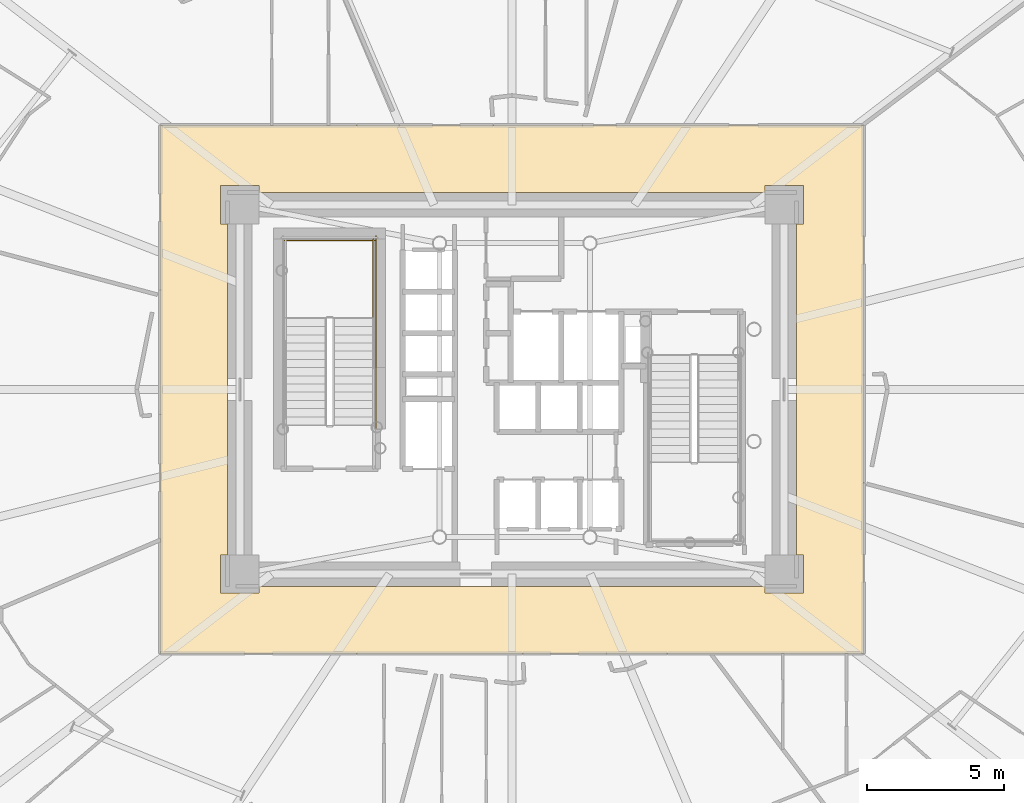
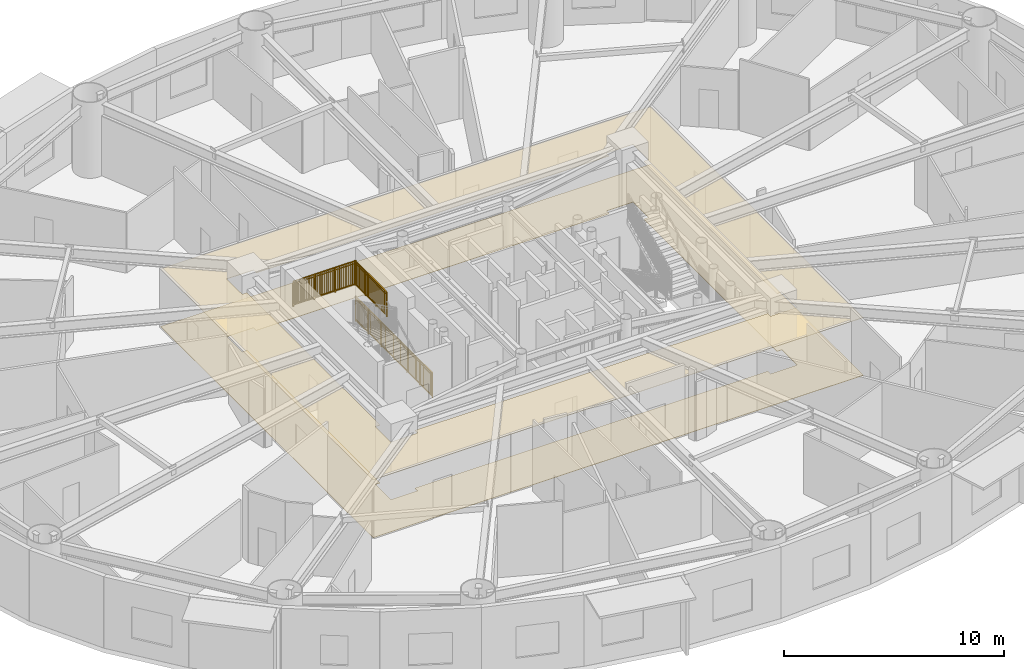
# One storey, part 20 of 24: 3 railings, 2 coverings.
"""IFC4 building model written with IfcOpenShell, lengths in metres."""

from ifc_helpers import new_model, si_unit, direction, frame, origin, origin_2d, place, context, subcontext, project, spatial, polyline, rectangle, outline, extrude, source, transform, mapped, material, layer, layer_set, type_object, element, save


model = new_model("IFC4")

# Units and contexts
model_context = context("Model", 3, precision=1e-05, world=origin(), true_north=direction((0.0, 1.0)))
body_context = subcontext(model_context, "Body", "Model", "MODEL_VIEW")
ifc_project = project(units=[si_unit("LENGTHUNIT", "METRE"), si_unit("AREAUNIT", "SQUARE_METRE"), si_unit("VOLUMEUNIT", "CUBIC_METRE"), si_unit("PLANEANGLEUNIT", "RADIAN"), si_unit("MASSUNIT", "GRAM", prefix="KILO")], contexts=[model_context])

# Site, building, storey
site_placement = place(None, origin())
site = spatial("IfcSite", under=ifc_project, at=site_placement, CompositionType="ELEMENT")
building_placement = place(site_placement, origin())
building = spatial("IfcBuilding", under=site, at=building_placement, Name="Linh Dai School and Residence Tower", CompositionType="ELEMENT")
storey_placement = place(building_placement, frame((0.0, 0.0, 74.39990234375)))
storey = spatial("IfcBuildingStorey", under=building, at=storey_placement, Name="L17", CompositionType="ELEMENT", Elevation=74.39990234375)

# Coverings
ifc_material_1 = material(Name="Mineral Fibre Acoustic Suspended Ceiling", Category="masonry")
ifc_layer_1 = layer(ifc_material_1, 0.02001953125)
ifc_layer_set_1 = layer_set([ifc_layer_1], Name="Mineral Fibre Acoustic Suspended Ceiling")
covering_type_1 = type_object("IfcCoveringType", Name="COV-CEIL-AC-20", PredefinedType="CEILING", material=ifc_layer_set_1)
covering_1_placement = place(storey_placement, frame((0.0, 0.0, 3.2001953125)))
element("IfcCovering", 1, at=covering_1_placement, inside=storey, type_object=covering_type_1, Name="L17 Residential Floor Corridor Suspended Ceiling", PredefinedType="CEILING", context=body_context, shape_type="SweptSolid", body=[
    extrude(outline(polyline([(48.85009765625, 36.64990234375), (48.85009765625, 17.35009765625), (23.14990234375, 17.35009765625), (23.14990234375, 36.64990234375), (48.85009765625, 36.64990234375)]), holes=[polyline([(26.75, 34.199951171875), (26.75, 34.449951171875), (25.35009765625, 34.449951171875), (25.35009765625, 33.050048828125), (25.60009765625, 33.050048828125), (25.60009765625, 20.949951171875), (25.35009765625, 20.949951171875), (25.35009765625, 19.550048828125), (26.75, 19.550048828125), (26.75, 19.800048828125), (45.25, 19.800048828125), (45.25, 19.550048828125), (46.64990234375, 19.550048828125), (46.64990234375, 20.949951171875), (46.39990234375, 20.949951171875), (46.39990234375, 33.050048828125), (46.64990234375, 33.050048828125), (46.64990234375, 34.449951171875), (45.25, 34.449951171875), (45.25, 34.199951171875), (26.75, 34.199951171875)])]), origin(), (0.0, 0.0, 1.0), 0.02001953125),
])
ifc_material_2 = material(Name="Polished Terrazzo Floor Finish", Category="masonry")
ifc_layer_2 = layer(ifc_material_2, 0.02490234375)
ifc_layer_set_2 = layer_set([ifc_layer_2], Name="Polished Terrazzo Floor Finish")
covering_type_2 = type_object("IfcCoveringType", Name="COV-FLR-TRZ-25", PredefinedType="FLOORING", material=ifc_layer_set_2)
covering_2_placement = place(storey_placement, origin())
element("IfcCovering", 2, at=covering_2_placement, inside=storey, type_object=covering_type_2, Name="L17 Residential Floor Corridor Floor Finish", PredefinedType="FLOORING", context=body_context, shape_type="SweptSolid", body=[
    extrude(outline(polyline([(48.85009765625, 36.64990234375), (48.85009765625, 17.35009765625), (23.14990234375, 17.35009765625), (23.14990234375, 36.64990234375), (48.85009765625, 36.64990234375)]), holes=[polyline([(26.75, 34.199951171875), (26.75, 34.449951171875), (25.35009765625, 34.449951171875), (25.35009765625, 33.050048828125), (25.60009765625, 33.050048828125), (25.60009765625, 20.949951171875), (25.35009765625, 20.949951171875), (25.35009765625, 19.550048828125), (26.75, 19.550048828125), (26.75, 19.800048828125), (45.25, 19.800048828125), (45.25, 19.550048828125), (46.64990234375, 19.550048828125), (46.64990234375, 20.949951171875), (46.39990234375, 20.949951171875), (46.39990234375, 33.050048828125), (46.64990234375, 33.050048828125), (46.64990234375, 34.449951171875), (45.25, 34.449951171875), (45.25, 34.199951171875), (26.75, 34.199951171875)])]), origin(), (0.0, 0.0, 1.0), 0.02001953125),
])

# Railings
ifc_material_3 = material(Name="Structural Steel S355JR", Category="steel")
railing_type = type_object("IfcRailingType", Name="RL-ST-GUARD-1400", PredefinedType="GUARDRAIL", material=ifc_material_3)
shared_shape_1 = source(origin(), body_context, "Body", "SweptSolid", [
    extrude(rectangle(XDim=0.048095703125, YDim=0.048095703125, at=origin_2d()), frame((0.0, 0.0, 1.3759765625), z_axis=(-1.0, 0.0, 0.0), x_axis=(0.0, -1.0, 0.0)), (0.0, 0.0, 1.0), 3.300048828125),
    extrude(rectangle(XDim=0.048095703125, YDim=0.048095703125, at=origin_2d()), frame((0.0, 0.0, 0.10009765625), z_axis=(-1.0, 0.0, 0.0), x_axis=(0.0, -1.0, 0.0)), (0.0, 0.0, 1.0), 3.300048828125),
    extrude(rectangle(XDim=0.030029296875, YDim=0.030029296875, at=origin_2d()), frame((0.0, 0.0, 1.239990234375), z_axis=(-1.0, 0.0, 0.0), x_axis=(0.0, -1.0, 0.0)), (0.0, 0.0, 1.0), 3.300048828125),
    extrude(rectangle(XDim=0.02001953125, YDim=0.02001953125, at=origin_2d()), frame((-0.09716796875, 0.0, 0.10009765625)), (0.0, 0.0, 1.0), 1.251708984375),
    extrude(rectangle(XDim=0.02001953125, YDim=0.02001953125, at=origin_2d()), frame((-0.194091796875, 0.0, 0.10009765625)), (0.0, 0.0, 1.0), 1.251708984375),
    extrude(rectangle(XDim=0.02001953125, YDim=0.02001953125, at=origin_2d()), frame((-0.291259765625, 0.0, 0.10009765625)), (0.0, 0.0, 1.0), 1.251708984375),
    extrude(rectangle(XDim=0.02001953125, YDim=0.02001953125, at=origin_2d()), frame((-0.38818359375, 0.0, 0.10009765625)), (0.0, 0.0, 1.0), 1.251708984375),
    extrude(rectangle(XDim=0.02001953125, YDim=0.02001953125, at=origin_2d()), frame((-0.4853515625, 0.0, 0.10009765625)), (0.0, 0.0, 1.0), 1.251708984375),
    extrude(rectangle(XDim=0.02001953125, YDim=0.02001953125, at=origin_2d()), frame((-0.582275390625, 0.0, 0.10009765625)), (0.0, 0.0, 1.0), 1.251708984375),
    extrude(rectangle(XDim=0.02001953125, YDim=0.02001953125, at=origin_2d()), frame((-0.679443359375, 0.0, 0.10009765625)), (0.0, 0.0, 1.0), 1.251708984375),
    extrude(rectangle(XDim=0.02001953125, YDim=0.02001953125, at=origin_2d()), frame((-0.7763671875, 0.0, 0.10009765625)), (0.0, 0.0, 1.0), 1.251708984375),
    extrude(rectangle(XDim=0.02001953125, YDim=0.02001953125, at=origin_2d()), frame((-0.87353515625, 0.0, 0.10009765625)), (0.0, 0.0, 1.0), 1.251708984375),
    extrude(rectangle(XDim=0.02001953125, YDim=0.02001953125, at=origin_2d()), frame((-0.970703125, 0.0, 0.10009765625)), (0.0, 0.0, 1.0), 1.251708984375),
    extrude(rectangle(XDim=0.02001953125, YDim=0.02001953125, at=origin_2d()), frame((-1.164794921875, 0.0, 0.10009765625)), (0.0, 0.0, 1.0), 1.251708984375),
    extrude(rectangle(XDim=0.02001953125, YDim=0.02001953125, at=origin_2d()), frame((-1.26171875, 0.0, 0.10009765625)), (0.0, 0.0, 1.0), 1.251708984375),
    extrude(rectangle(XDim=0.02001953125, YDim=0.02001953125, at=origin_2d()), frame((-1.35888671875, 0.0, 0.10009765625)), (0.0, 0.0, 1.0), 1.251708984375),
    extrude(rectangle(XDim=0.02001953125, YDim=0.02001953125, at=origin_2d()), frame((-1.455810546875, 0.0, 0.10009765625)), (0.0, 0.0, 1.0), 1.251708984375),
    extrude(rectangle(XDim=0.02001953125, YDim=0.02001953125, at=origin_2d()), frame((-1.552978515625, 0.0, 0.10009765625)), (0.0, 0.0, 1.0), 1.251708984375),
    extrude(rectangle(XDim=0.02001953125, YDim=0.02001953125, at=origin_2d()), frame((-1.64990234375, 0.0, 0.10009765625)), (0.0, 0.0, 1.0), 1.251708984375),
    extrude(rectangle(XDim=0.02001953125, YDim=0.02001953125, at=origin_2d()), frame((-1.7470703125, 0.0, 0.10009765625)), (0.0, 0.0, 1.0), 1.251708984375),
    extrude(rectangle(XDim=0.02001953125, YDim=0.02001953125, at=origin_2d()), frame((-1.84423828125, 0.0, 0.10009765625)), (0.0, 0.0, 1.0), 1.251708984375),
    extrude(rectangle(XDim=0.02001953125, YDim=0.02001953125, at=origin_2d()), frame((-1.941162109375, 0.0, 0.10009765625)), (0.0, 0.0, 1.0), 1.251708984375),
    extrude(rectangle(XDim=0.02001953125, YDim=0.02001953125, at=origin_2d()), frame((-2.038330078125, 0.0, 0.10009765625)), (0.0, 0.0, 1.0), 1.251708984375),
    extrude(rectangle(XDim=0.02001953125, YDim=0.02001953125, at=origin_2d()), frame((-2.13525390625, 0.0, 0.10009765625)), (0.0, 0.0, 1.0), 1.251708984375),
    extrude(rectangle(XDim=0.02001953125, YDim=0.02001953125, at=origin_2d()), frame((-2.329345703125, 0.0, 0.10009765625)), (0.0, 0.0, 1.0), 1.251708984375),
    extrude(rectangle(XDim=0.02001953125, YDim=0.02001953125, at=origin_2d()), frame((-2.426513671875, 0.0, 0.10009765625)), (0.0, 0.0, 1.0), 1.251708984375),
    extrude(rectangle(XDim=0.02001953125, YDim=0.02001953125, at=origin_2d()), frame((-2.523681640625, 0.0, 0.10009765625)), (0.0, 0.0, 1.0), 1.251708984375),
    extrude(rectangle(XDim=0.02001953125, YDim=0.02001953125, at=origin_2d()), frame((-2.62060546875, 0.0, 0.10009765625)), (0.0, 0.0, 1.0), 1.251708984375),
    extrude(rectangle(XDim=0.02001953125, YDim=0.02001953125, at=origin_2d()), frame((-2.7177734375, 0.0, 0.10009765625)), (0.0, 0.0, 1.0), 1.251708984375),
    extrude(rectangle(XDim=0.02001953125, YDim=0.02001953125, at=origin_2d()), frame((-2.814697265625, 0.0, 0.10009765625)), (0.0, 0.0, 1.0), 1.251708984375),
    extrude(rectangle(XDim=0.02001953125, YDim=0.02001953125, at=origin_2d()), frame((-2.911865234375, 0.0, 0.10009765625)), (0.0, 0.0, 1.0), 1.251708984375),
    extrude(rectangle(XDim=0.02001953125, YDim=0.02001953125, at=origin_2d()), frame((-3.0087890625, 0.0, 0.10009765625)), (0.0, 0.0, 1.0), 1.251708984375),
    extrude(rectangle(XDim=0.02001953125, YDim=0.02001953125, at=origin_2d()), frame((-3.10595703125, 0.0, 0.10009765625)), (0.0, 0.0, 1.0), 1.251708984375),
    extrude(rectangle(XDim=0.02001953125, YDim=0.02001953125, at=origin_2d()), frame((-3.202880859375, 0.0, 0.10009765625)), (0.0, 0.0, 1.0), 1.251708984375),
    extrude(rectangle(XDim=0.0419921875, YDim=0.0419921875, at=origin_2d()), origin(), (0.0, 0.0, 1.0), 1.3759765625),
    extrude(rectangle(XDim=0.0419921875, YDim=0.0419921875, at=origin_2d()), frame((-1.10009765625, 0.0, 0.0)), (0.0, 0.0, 1.0), 1.3759765625),
    extrude(rectangle(XDim=0.0419921875, YDim=0.0419921875, at=origin_2d()), frame((-2.199951171875, 0.0, 0.0)), (0.0, 0.0, 1.0), 1.3759765625),
    extrude(rectangle(XDim=0.0419921875, YDim=0.0419921875, at=origin_2d()), frame((-3.300048828125, 0.0, 0.0)), (0.0, 0.0, 1.0), 1.3759765625),
])
railing_1_placement = place(storey_placement, frame((30.97998046875, 32.449951171875, 2.10009765625)))
element("IfcRailing", 3, at=railing_1_placement, inside=storey, type_object=railing_type, Name="L17 ST1 stair guard 5", PredefinedType="GUARDRAIL", context=body_context, shape_type="MappedRepresentation", body=[
    mapped(shared_shape_1, transform((0.0, 0.0, 0.0), x_axis=(1.0, 0.0, 0.0), y_axis=(0.0, 1.0, 0.0), z_axis=(0.0, 0.0, 1.0), scale=1.0)),
])
shared_shape_2 = source(origin(), body_context, "Body", "SweptSolid", [
    extrude(rectangle(XDim=0.048095703125, YDim=0.048095703125, at=origin_2d()), frame((0.0, 0.0, 1.3759765625), z_axis=(0.0, 1.0, 0.0), x_axis=(-1.0, 0.0, 0.0)), (0.0, 0.0, 1.0), 7.0),
    extrude(rectangle(XDim=0.048095703125, YDim=0.048095703125, at=origin_2d()), frame((0.0, 0.0, 0.10009765625), z_axis=(0.0, 1.0, 0.0), x_axis=(-1.0, 0.0, 0.0)), (0.0, 0.0, 1.0), 7.0),
    extrude(rectangle(XDim=0.030029296875, YDim=0.030029296875, at=origin_2d()), frame((0.0, 0.0, 1.239990234375), z_axis=(0.0, 1.0, 0.0), x_axis=(-1.0, 0.0, 0.0)), (0.0, 0.0, 1.0), 7.0),
    extrude(rectangle(XDim=0.02001953125, YDim=0.02001953125, at=origin_2d()), frame((0.0, 0.09716796875, 0.10009765625)), (0.0, 0.0, 1.0), 1.251708984375),
    extrude(rectangle(XDim=0.02001953125, YDim=0.02001953125, at=origin_2d()), frame((0.0, 0.1943359375, 0.10009765625)), (0.0, 0.0, 1.0), 1.251708984375),
    extrude(rectangle(XDim=0.02001953125, YDim=0.02001953125, at=origin_2d()), frame((0.0, 0.291748046875, 0.10009765625)), (0.0, 0.0, 1.0), 1.251708984375),
    extrude(rectangle(XDim=0.02001953125, YDim=0.02001953125, at=origin_2d()), frame((0.0, 0.388916015625, 0.10009765625)), (0.0, 0.0, 1.0), 1.251708984375),
    extrude(rectangle(XDim=0.02001953125, YDim=0.02001953125, at=origin_2d()), frame((0.0, 0.486083984375, 0.10009765625)), (0.0, 0.0, 1.0), 1.251708984375),
    extrude(rectangle(XDim=0.02001953125, YDim=0.02001953125, at=origin_2d()), frame((0.0, 0.583251953125, 0.10009765625)), (0.0, 0.0, 1.0), 1.251708984375),
    extrude(rectangle(XDim=0.02001953125, YDim=0.02001953125, at=origin_2d()), frame((0.0, 0.6806640625, 0.10009765625)), (0.0, 0.0, 1.0), 1.251708984375),
    extrude(rectangle(XDim=0.02001953125, YDim=0.02001953125, at=origin_2d()), frame((0.0, 0.77783203125, 0.10009765625)), (0.0, 0.0, 1.0), 1.251708984375),
    extrude(rectangle(XDim=0.02001953125, YDim=0.02001953125, at=origin_2d()), frame((0.0, 0.875, 0.10009765625)), (0.0, 0.0, 1.0), 1.251708984375),
    extrude(rectangle(XDim=0.02001953125, YDim=0.02001953125, at=origin_2d()), frame((0.0, 0.97216796875, 0.10009765625)), (0.0, 0.0, 1.0), 1.251708984375),
    extrude(rectangle(XDim=0.02001953125, YDim=0.02001953125, at=origin_2d()), frame((0.0, 1.0693359375, 0.10009765625)), (0.0, 0.0, 1.0), 1.251708984375),
    extrude(rectangle(XDim=0.02001953125, YDim=0.02001953125, at=origin_2d()), frame((0.0, 1.263916015625, 0.10009765625)), (0.0, 0.0, 1.0), 1.251708984375),
    extrude(rectangle(XDim=0.02001953125, YDim=0.02001953125, at=origin_2d()), frame((0.0, 1.361083984375, 0.10009765625)), (0.0, 0.0, 1.0), 1.251708984375),
    extrude(rectangle(XDim=0.02001953125, YDim=0.02001953125, at=origin_2d()), frame((0.0, 1.458251953125, 0.10009765625)), (0.0, 0.0, 1.0), 1.251708984375),
    extrude(rectangle(XDim=0.02001953125, YDim=0.02001953125, at=origin_2d()), frame((0.0, 1.5556640625, 0.10009765625)), (0.0, 0.0, 1.0), 1.251708984375),
    extrude(rectangle(XDim=0.02001953125, YDim=0.02001953125, at=origin_2d()), frame((0.0, 1.65283203125, 0.10009765625)), (0.0, 0.0, 1.0), 1.251708984375),
    extrude(rectangle(XDim=0.02001953125, YDim=0.02001953125, at=origin_2d()), frame((0.0, 1.75, 0.10009765625)), (0.0, 0.0, 1.0), 1.251708984375),
    extrude(rectangle(XDim=0.02001953125, YDim=0.02001953125, at=origin_2d()), frame((0.0, 1.84716796875, 0.10009765625)), (0.0, 0.0, 1.0), 1.251708984375),
    extrude(rectangle(XDim=0.02001953125, YDim=0.02001953125, at=origin_2d()), frame((0.0, 1.9443359375, 0.10009765625)), (0.0, 0.0, 1.0), 1.251708984375),
    extrude(rectangle(XDim=0.02001953125, YDim=0.02001953125, at=origin_2d()), frame((0.0, 2.041748046875, 0.10009765625)), (0.0, 0.0, 1.0), 1.251708984375),
    extrude(rectangle(XDim=0.02001953125, YDim=0.02001953125, at=origin_2d()), frame((0.0, 2.138916015625, 0.10009765625)), (0.0, 0.0, 1.0), 1.251708984375),
    extrude(rectangle(XDim=0.02001953125, YDim=0.02001953125, at=origin_2d()), frame((0.0, 2.236083984375, 0.10009765625)), (0.0, 0.0, 1.0), 1.251708984375),
    extrude(rectangle(XDim=0.02001953125, YDim=0.02001953125, at=origin_2d()), frame((0.0, 2.4306640625, 0.10009765625)), (0.0, 0.0, 1.0), 1.251708984375),
    extrude(rectangle(XDim=0.02001953125, YDim=0.02001953125, at=origin_2d()), frame((0.0, 2.52783203125, 0.10009765625)), (0.0, 0.0, 1.0), 1.251708984375),
    extrude(rectangle(XDim=0.02001953125, YDim=0.02001953125, at=origin_2d()), frame((0.0, 2.625, 0.10009765625)), (0.0, 0.0, 1.0), 1.251708984375),
    extrude(rectangle(XDim=0.02001953125, YDim=0.02001953125, at=origin_2d()), frame((0.0, 2.72216796875, 0.10009765625)), (0.0, 0.0, 1.0), 1.251708984375),
    extrude(rectangle(XDim=0.02001953125, YDim=0.02001953125, at=origin_2d()), frame((0.0, 2.8193359375, 0.10009765625)), (0.0, 0.0, 1.0), 1.251708984375),
    extrude(rectangle(XDim=0.02001953125, YDim=0.02001953125, at=origin_2d()), frame((0.0, 2.916748046875, 0.10009765625)), (0.0, 0.0, 1.0), 1.251708984375),
    extrude(rectangle(XDim=0.02001953125, YDim=0.02001953125, at=origin_2d()), frame((0.0, 3.013916015625, 0.10009765625)), (0.0, 0.0, 1.0), 1.251708984375),
    extrude(rectangle(XDim=0.02001953125, YDim=0.02001953125, at=origin_2d()), frame((0.0, 3.111083984375, 0.10009765625)), (0.0, 0.0, 1.0), 1.251708984375),
    extrude(rectangle(XDim=0.02001953125, YDim=0.02001953125, at=origin_2d()), frame((0.0, 3.208251953125, 0.10009765625)), (0.0, 0.0, 1.0), 1.251708984375),
    extrude(rectangle(XDim=0.02001953125, YDim=0.02001953125, at=origin_2d()), frame((0.0, 3.3056640625, 0.10009765625)), (0.0, 0.0, 1.0), 1.251708984375),
    extrude(rectangle(XDim=0.02001953125, YDim=0.02001953125, at=origin_2d()), frame((0.0, 3.40283203125, 0.10009765625)), (0.0, 0.0, 1.0), 1.251708984375),
    extrude(rectangle(XDim=0.02001953125, YDim=0.02001953125, at=origin_2d()), frame((0.0, 3.59716796875, 0.10009765625)), (0.0, 0.0, 1.0), 1.251708984375),
    extrude(rectangle(XDim=0.02001953125, YDim=0.02001953125, at=origin_2d()), frame((0.0, 3.6943359375, 0.10009765625)), (0.0, 0.0, 1.0), 1.251708984375),
    extrude(rectangle(XDim=0.02001953125, YDim=0.02001953125, at=origin_2d()), frame((0.0, 3.791748046875, 0.10009765625)), (0.0, 0.0, 1.0), 1.251708984375),
    extrude(rectangle(XDim=0.02001953125, YDim=0.02001953125, at=origin_2d()), frame((0.0, 3.888916015625, 0.10009765625)), (0.0, 0.0, 1.0), 1.251708984375),
    extrude(rectangle(XDim=0.02001953125, YDim=0.02001953125, at=origin_2d()), frame((0.0, 3.986083984375, 0.10009765625)), (0.0, 0.0, 1.0), 1.251708984375),
    extrude(rectangle(XDim=0.02001953125, YDim=0.02001953125, at=origin_2d()), frame((0.0, 4.083251953125, 0.10009765625)), (0.0, 0.0, 1.0), 1.251708984375),
    extrude(rectangle(XDim=0.02001953125, YDim=0.02001953125, at=origin_2d()), frame((0.0, 4.1806640625, 0.10009765625)), (0.0, 0.0, 1.0), 1.251708984375),
    extrude(rectangle(XDim=0.02001953125, YDim=0.02001953125, at=origin_2d()), frame((0.0, 4.27783203125, 0.10009765625)), (0.0, 0.0, 1.0), 1.251708984375),
    extrude(rectangle(XDim=0.02001953125, YDim=0.02001953125, at=origin_2d()), frame((0.0, 4.375, 0.10009765625)), (0.0, 0.0, 1.0), 1.251708984375),
    extrude(rectangle(XDim=0.02001953125, YDim=0.02001953125, at=origin_2d()), frame((0.0, 4.47216796875, 0.10009765625)), (0.0, 0.0, 1.0), 1.251708984375),
    extrude(rectangle(XDim=0.02001953125, YDim=0.02001953125, at=origin_2d()), frame((0.0, 4.5693359375, 0.10009765625)), (0.0, 0.0, 1.0), 1.251708984375),
    extrude(rectangle(XDim=0.02001953125, YDim=0.02001953125, at=origin_2d()), frame((0.0, 4.763916015625, 0.10009765625)), (0.0, 0.0, 1.0), 1.251708984375),
    extrude(rectangle(XDim=0.02001953125, YDim=0.02001953125, at=origin_2d()), frame((0.0, 4.861083984375, 0.10009765625)), (0.0, 0.0, 1.0), 1.251708984375),
    extrude(rectangle(XDim=0.02001953125, YDim=0.02001953125, at=origin_2d()), frame((0.0, 4.958251953125, 0.10009765625)), (0.0, 0.0, 1.0), 1.251708984375),
    extrude(rectangle(XDim=0.02001953125, YDim=0.02001953125, at=origin_2d()), frame((0.0, 5.0556640625, 0.10009765625)), (0.0, 0.0, 1.0), 1.251708984375),
    extrude(rectangle(XDim=0.02001953125, YDim=0.02001953125, at=origin_2d()), frame((0.0, 5.15283203125, 0.10009765625)), (0.0, 0.0, 1.0), 1.251708984375),
    extrude(rectangle(XDim=0.02001953125, YDim=0.02001953125, at=origin_2d()), frame((0.0, 5.25, 0.10009765625)), (0.0, 0.0, 1.0), 1.251708984375),
    extrude(rectangle(XDim=0.02001953125, YDim=0.02001953125, at=origin_2d()), frame((0.0, 5.34716796875, 0.10009765625)), (0.0, 0.0, 1.0), 1.251708984375),
    extrude(rectangle(XDim=0.02001953125, YDim=0.02001953125, at=origin_2d()), frame((0.0, 5.4443359375, 0.10009765625)), (0.0, 0.0, 1.0), 1.251708984375),
    extrude(rectangle(XDim=0.02001953125, YDim=0.02001953125, at=origin_2d()), frame((0.0, 5.541748046875, 0.10009765625)), (0.0, 0.0, 1.0), 1.251708984375),
    extrude(rectangle(XDim=0.02001953125, YDim=0.02001953125, at=origin_2d()), frame((0.0, 5.638916015625, 0.10009765625)), (0.0, 0.0, 1.0), 1.251708984375),
    extrude(rectangle(XDim=0.02001953125, YDim=0.02001953125, at=origin_2d()), frame((0.0, 5.736083984375, 0.10009765625)), (0.0, 0.0, 1.0), 1.251708984375),
    extrude(rectangle(XDim=0.02001953125, YDim=0.02001953125, at=origin_2d()), frame((0.0, 5.9306640625, 0.10009765625)), (0.0, 0.0, 1.0), 1.251708984375),
    extrude(rectangle(XDim=0.02001953125, YDim=0.02001953125, at=origin_2d()), frame((0.0, 6.02783203125, 0.10009765625)), (0.0, 0.0, 1.0), 1.251708984375),
    extrude(rectangle(XDim=0.02001953125, YDim=0.02001953125, at=origin_2d()), frame((0.0, 6.125, 0.10009765625)), (0.0, 0.0, 1.0), 1.251708984375),
    extrude(rectangle(XDim=0.02001953125, YDim=0.02001953125, at=origin_2d()), frame((0.0, 6.22216796875, 0.10009765625)), (0.0, 0.0, 1.0), 1.251708984375),
    extrude(rectangle(XDim=0.02001953125, YDim=0.02001953125, at=origin_2d()), frame((0.0, 6.3193359375, 0.10009765625)), (0.0, 0.0, 1.0), 1.251708984375),
    extrude(rectangle(XDim=0.02001953125, YDim=0.02001953125, at=origin_2d()), frame((0.0, 6.416748046875, 0.10009765625)), (0.0, 0.0, 1.0), 1.251708984375),
    extrude(rectangle(XDim=0.02001953125, YDim=0.02001953125, at=origin_2d()), frame((0.0, 6.513916015625, 0.10009765625)), (0.0, 0.0, 1.0), 1.251708984375),
    extrude(rectangle(XDim=0.02001953125, YDim=0.02001953125, at=origin_2d()), frame((0.0, 6.611083984375, 0.10009765625)), (0.0, 0.0, 1.0), 1.251708984375),
    extrude(rectangle(XDim=0.02001953125, YDim=0.02001953125, at=origin_2d()), frame((0.0, 6.708251953125, 0.10009765625)), (0.0, 0.0, 1.0), 1.251708984375),
    extrude(rectangle(XDim=0.02001953125, YDim=0.02001953125, at=origin_2d()), frame((0.0, 6.8056640625, 0.10009765625)), (0.0, 0.0, 1.0), 1.251708984375),
    extrude(rectangle(XDim=0.02001953125, YDim=0.02001953125, at=origin_2d()), frame((0.0, 6.90283203125, 0.10009765625)), (0.0, 0.0, 1.0), 1.251708984375),
    extrude(rectangle(XDim=0.0419921875, YDim=0.0419921875, at=origin_2d()), origin(), (0.0, 0.0, 1.0), 1.3759765625),
    extrude(rectangle(XDim=0.0419921875, YDim=0.0419921875, at=origin_2d()), frame((0.0, 1.166748046875, 0.0)), (0.0, 0.0, 1.0), 1.3759765625),
    extrude(rectangle(XDim=0.0419921875, YDim=0.0419921875, at=origin_2d()), frame((0.0, 2.333251953125, 0.0)), (0.0, 0.0, 1.0), 1.3759765625),
    extrude(rectangle(XDim=0.0419921875, YDim=0.0419921875, at=origin_2d()), frame((0.0, 3.5, 0.0)), (0.0, 0.0, 1.0), 1.3759765625),
    extrude(rectangle(XDim=0.0419921875, YDim=0.0419921875, at=origin_2d()), frame((0.0, 4.666748046875, 0.0)), (0.0, 0.0, 1.0), 1.3759765625),
    extrude(rectangle(XDim=0.0419921875, YDim=0.0419921875, at=origin_2d()), frame((0.0, 5.833251953125, 0.0)), (0.0, 0.0, 1.0), 1.3759765625),
    extrude(rectangle(XDim=0.0419921875, YDim=0.0419921875, at=origin_2d()), frame((0.0, 7.0, 0.0)), (0.0, 0.0, 1.0), 1.3759765625),
])
railing_2_placement = place(storey_placement, frame((31.030029296875, 25.60009765625, 0.0)))
element("IfcRailing", 4, at=railing_2_placement, inside=storey, type_object=railing_type, Name="L17 ST1 stair guard 10", PredefinedType="GUARDRAIL", context=body_context, shape_type="MappedRepresentation", body=[
    mapped(shared_shape_2, transform((0.0, 0.0, 0.0), x_axis=(1.0, 0.0, 0.0), y_axis=(0.0, 1.0, 0.0), z_axis=(0.0, 0.0, 1.0), scale=1.0)),
])
shared_shape_3 = source(origin(), body_context, "Body", "SweptSolid", [
    extrude(rectangle(XDim=0.048095703125, YDim=0.048095703125, at=origin_2d()), frame((0.0, 0.0, 1.3759765625), z_axis=(0.0, 1.0, 0.0), x_axis=(-1.0, 0.0, 0.0)), (0.0, 0.0, 1.0), 2.89990234375),
    extrude(rectangle(XDim=0.048095703125, YDim=0.048095703125, at=origin_2d()), frame((0.0, 0.0, 0.10009765625), z_axis=(0.0, 1.0, 0.0), x_axis=(-1.0, 0.0, 0.0)), (0.0, 0.0, 1.0), 2.89990234375),
    extrude(rectangle(XDim=0.030029296875, YDim=0.030029296875, at=origin_2d()), frame((0.0, 0.0, 1.239990234375), z_axis=(0.0, 1.0, 0.0), x_axis=(-1.0, 0.0, 0.0)), (0.0, 0.0, 1.0), 2.89990234375),
    extrude(rectangle(XDim=0.02001953125, YDim=0.02001953125, at=origin_2d()), frame((0.0, 0.0966796875, 0.10009765625)), (0.0, 0.0, 1.0), 1.251708984375),
    extrude(rectangle(XDim=0.02001953125, YDim=0.02001953125, at=origin_2d()), frame((0.0, 0.193359375, 0.10009765625)), (0.0, 0.0, 1.0), 1.251708984375),
    extrude(rectangle(XDim=0.02001953125, YDim=0.02001953125, at=origin_2d()), frame((0.0, 0.2900390625, 0.10009765625)), (0.0, 0.0, 1.0), 1.251708984375),
    extrude(rectangle(XDim=0.02001953125, YDim=0.02001953125, at=origin_2d()), frame((0.0, 0.38671875, 0.10009765625)), (0.0, 0.0, 1.0), 1.251708984375),
    extrude(rectangle(XDim=0.02001953125, YDim=0.02001953125, at=origin_2d()), frame((0.0, 0.4833984375, 0.10009765625)), (0.0, 0.0, 1.0), 1.251708984375),
    extrude(rectangle(XDim=0.02001953125, YDim=0.02001953125, at=origin_2d()), frame((0.0, 0.580078125, 0.10009765625)), (0.0, 0.0, 1.0), 1.251708984375),
    extrude(rectangle(XDim=0.02001953125, YDim=0.02001953125, at=origin_2d()), frame((0.0, 0.6767578125, 0.10009765625)), (0.0, 0.0, 1.0), 1.251708984375),
    extrude(rectangle(XDim=0.02001953125, YDim=0.02001953125, at=origin_2d()), frame((0.0, 0.773193359375, 0.10009765625)), (0.0, 0.0, 1.0), 1.251708984375),
    extrude(rectangle(XDim=0.02001953125, YDim=0.02001953125, at=origin_2d()), frame((0.0, 0.869873046875, 0.10009765625)), (0.0, 0.0, 1.0), 1.251708984375),
    extrude(rectangle(XDim=0.02001953125, YDim=0.02001953125, at=origin_2d()), frame((0.0, 1.063232421875, 0.10009765625)), (0.0, 0.0, 1.0), 1.251708984375),
    extrude(rectangle(XDim=0.02001953125, YDim=0.02001953125, at=origin_2d()), frame((0.0, 1.159912109375, 0.10009765625)), (0.0, 0.0, 1.0), 1.251708984375),
    extrude(rectangle(XDim=0.02001953125, YDim=0.02001953125, at=origin_2d()), frame((0.0, 1.256591796875, 0.10009765625)), (0.0, 0.0, 1.0), 1.251708984375),
    extrude(rectangle(XDim=0.02001953125, YDim=0.02001953125, at=origin_2d()), frame((0.0, 1.353271484375, 0.10009765625)), (0.0, 0.0, 1.0), 1.251708984375),
    extrude(rectangle(XDim=0.02001953125, YDim=0.02001953125, at=origin_2d()), frame((0.0, 1.449951171875, 0.10009765625)), (0.0, 0.0, 1.0), 1.251708984375),
    extrude(rectangle(XDim=0.02001953125, YDim=0.02001953125, at=origin_2d()), frame((0.0, 1.546630859375, 0.10009765625)), (0.0, 0.0, 1.0), 1.251708984375),
    extrude(rectangle(XDim=0.02001953125, YDim=0.02001953125, at=origin_2d()), frame((0.0, 1.643310546875, 0.10009765625)), (0.0, 0.0, 1.0), 1.251708984375),
    extrude(rectangle(XDim=0.02001953125, YDim=0.02001953125, at=origin_2d()), frame((0.0, 1.739990234375, 0.10009765625)), (0.0, 0.0, 1.0), 1.251708984375),
    extrude(rectangle(XDim=0.02001953125, YDim=0.02001953125, at=origin_2d()), frame((0.0, 1.836669921875, 0.10009765625)), (0.0, 0.0, 1.0), 1.251708984375),
    extrude(rectangle(XDim=0.02001953125, YDim=0.02001953125, at=origin_2d()), frame((0.0, 2.030029296875, 0.10009765625)), (0.0, 0.0, 1.0), 1.251708984375),
    extrude(rectangle(XDim=0.02001953125, YDim=0.02001953125, at=origin_2d()), frame((0.0, 2.126708984375, 0.10009765625)), (0.0, 0.0, 1.0), 1.251708984375),
    extrude(rectangle(XDim=0.02001953125, YDim=0.02001953125, at=origin_2d()), frame((0.0, 2.22314453125, 0.10009765625)), (0.0, 0.0, 1.0), 1.251708984375),
    extrude(rectangle(XDim=0.02001953125, YDim=0.02001953125, at=origin_2d()), frame((0.0, 2.31982421875, 0.10009765625)), (0.0, 0.0, 1.0), 1.251708984375),
    extrude(rectangle(XDim=0.02001953125, YDim=0.02001953125, at=origin_2d()), frame((0.0, 2.41650390625, 0.10009765625)), (0.0, 0.0, 1.0), 1.251708984375),
    extrude(rectangle(XDim=0.02001953125, YDim=0.02001953125, at=origin_2d()), frame((0.0, 2.51318359375, 0.10009765625)), (0.0, 0.0, 1.0), 1.251708984375),
    extrude(rectangle(XDim=0.02001953125, YDim=0.02001953125, at=origin_2d()), frame((0.0, 2.60986328125, 0.10009765625)), (0.0, 0.0, 1.0), 1.251708984375),
    extrude(rectangle(XDim=0.02001953125, YDim=0.02001953125, at=origin_2d()), frame((0.0, 2.70654296875, 0.10009765625)), (0.0, 0.0, 1.0), 1.251708984375),
    extrude(rectangle(XDim=0.02001953125, YDim=0.02001953125, at=origin_2d()), frame((0.0, 2.80322265625, 0.10009765625)), (0.0, 0.0, 1.0), 1.251708984375),
    extrude(rectangle(XDim=0.0419921875, YDim=0.0419921875, at=origin_2d()), origin(), (0.0, 0.0, 1.0), 1.3759765625),
    extrude(rectangle(XDim=0.0419921875, YDim=0.0419921875, at=origin_2d()), frame((0.0, 0.966552734375, 0.0)), (0.0, 0.0, 1.0), 1.3759765625),
    extrude(rectangle(XDim=0.0419921875, YDim=0.0419921875, at=origin_2d()), frame((0.0, 1.933349609375, 0.0)), (0.0, 0.0, 1.0), 1.3759765625),
    extrude(rectangle(XDim=0.0419921875, YDim=0.0419921875, at=origin_2d()), frame((0.0, 2.89990234375, 0.0)), (0.0, 0.0, 1.0), 1.3759765625),
])
railing_3_placement = place(storey_placement, frame((30.929931640625, 29.60009765625, 2.10009765625)))
element("IfcRailing", 5, at=railing_3_placement, inside=storey, type_object=railing_type, Name="L17 ST1 stair guard 3", PredefinedType="GUARDRAIL", context=body_context, shape_type="MappedRepresentation", body=[
    mapped(shared_shape_3, transform((0.0, 0.0, 0.0), x_axis=(1.0, 0.0, 0.0), y_axis=(0.0, 1.0, 0.0), z_axis=(0.0, 0.0, 1.0), scale=1.0)),
])

save(model, "model.ifc")
